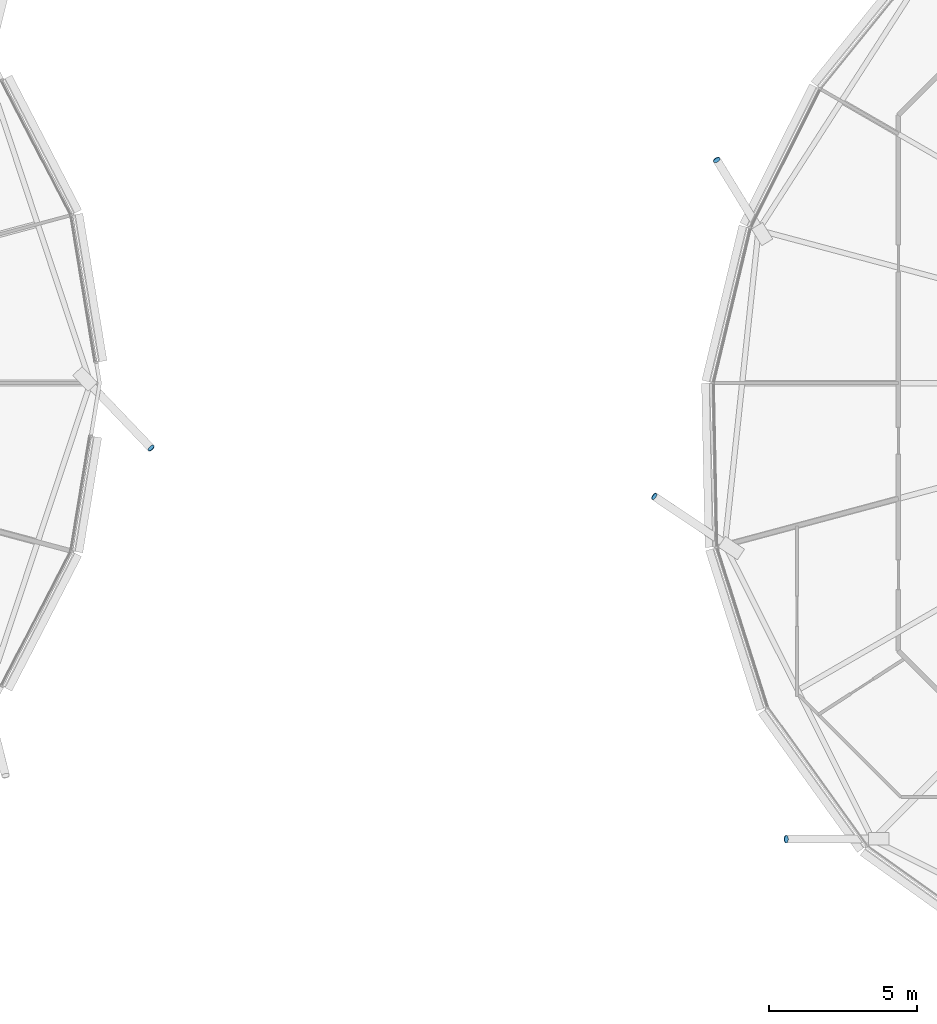
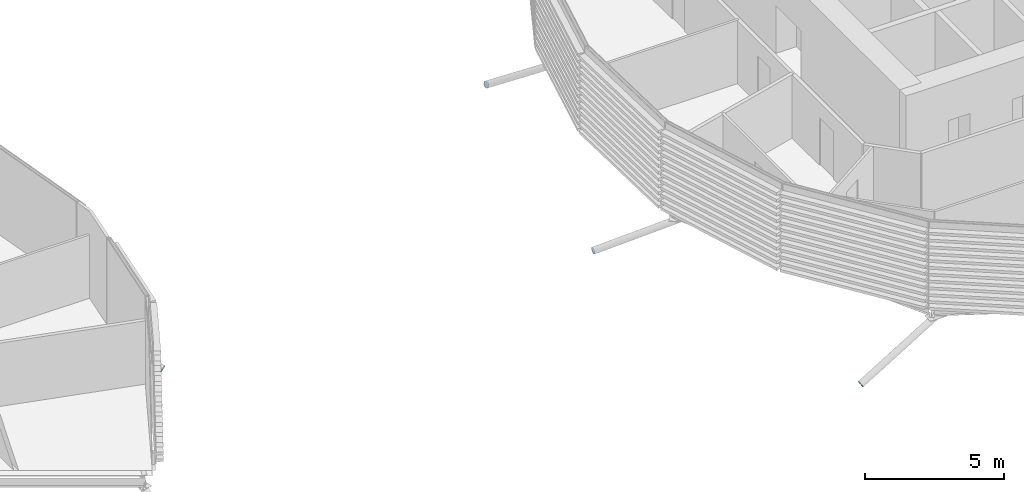
# One storey, part 27 of 36: 4 discrete accessories.
"""IFC4 building model written with IfcOpenShell, lengths in metres."""

from ifc_helpers import new_model, si_unit, direction, frame, origin, origin_2d, place, context, subcontext, project, spatial, circle, extrude, material, material_profile, profile_set, type_object, element, save


model = new_model("IFC4")

# Units and contexts
model_context = context("Model", 3, precision=1e-05, world=origin(), true_north=direction((0.0, 1.0)))
body_context = subcontext(model_context, "Body", "Model", "MODEL_VIEW")
ifc_project = project(units=[si_unit("LENGTHUNIT", "METRE"), si_unit("AREAUNIT", "SQUARE_METRE"), si_unit("VOLUMEUNIT", "CUBIC_METRE"), si_unit("PLANEANGLEUNIT", "RADIAN"), si_unit("MASSUNIT", "GRAM", prefix="KILO")], contexts=[model_context])

# Site, building, storey
site_placement = place(None, origin())
site = spatial("IfcSite", under=ifc_project, at=site_placement, CompositionType="ELEMENT")
building_placement = place(site_placement, origin())
building = spatial("IfcBuilding", under=site, at=building_placement, Name="Rimbun Link Towers", CompositionType="ELEMENT")
storey_placement = place(building_placement, frame((0.0, 0.0, 37.60009765625)))
storey = spatial("IfcBuildingStorey", under=building, at=storey_placement, Name="L08", CompositionType="ELEMENT", Elevation=37.60009765625)

# Discrete accessories
ifc_material = material(Name="Steel S355J2H", Category="steel")
ifc_material_profile = material_profile(ifc_material, circle(Radius=0.1240234375, at=origin_2d()), Name="PL D248")
ifc_profile_set = profile_set([ifc_material_profile], Name="Steel S355J2H")
discrete_accessory_type = type_object("IfcDiscreteAccessoryType", Name="Link foot sealing plate D248X20", PredefinedType="BRACKET", material=ifc_profile_set)
for number, where, z_axis, x_axis, name in (
    (1, (-7.952392578125, -2.18603515625, -2.418212890625), (0.613231561692, -0.63776082416, -0.466055986886), (0.720833064902, 0.693108716252, 0.0), "Link foot sealing plate T1 L08 00"),
    (2, (11.109130859375, 7.509521484375, -2.502685546875), (-0.436499938617, 0.7153748994, -0.545624923272), (-0.853639280337, -0.520864645629, 0.0), "Link foot sealing plate T2 L08 08"),
    (3, (9.00634765625, -3.820068359375, -2.1884765625), (-0.741316092871, 0.498261636192, -0.449650744856), (-0.557836036894, -0.829951176842, 0.0), "Link foot sealing plate T2 L08 10"),
    (4, (13.4521484375, -15.363525390625, -2.59130859375), (-0.857492925713, 0.0, -0.514495755428), (0.0, -1.0, 0.0), "Link foot sealing plate T2 L08 12"),
):
    element("IfcDiscreteAccessory", number, at=place(storey_placement, frame(where, z_axis=z_axis, x_axis=x_axis)), inside=storey, type_object=discrete_accessory_type, Name=name, PredefinedType="BRACKET", context=body_context, shape_type="SweptSolid", body=[
        extrude(circle(Radius=0.1240234375, at=origin_2d()), origin(), (0.0, 0.0, 1.0), 0.02001953125),
    ])

save(model, "model.ifc")
